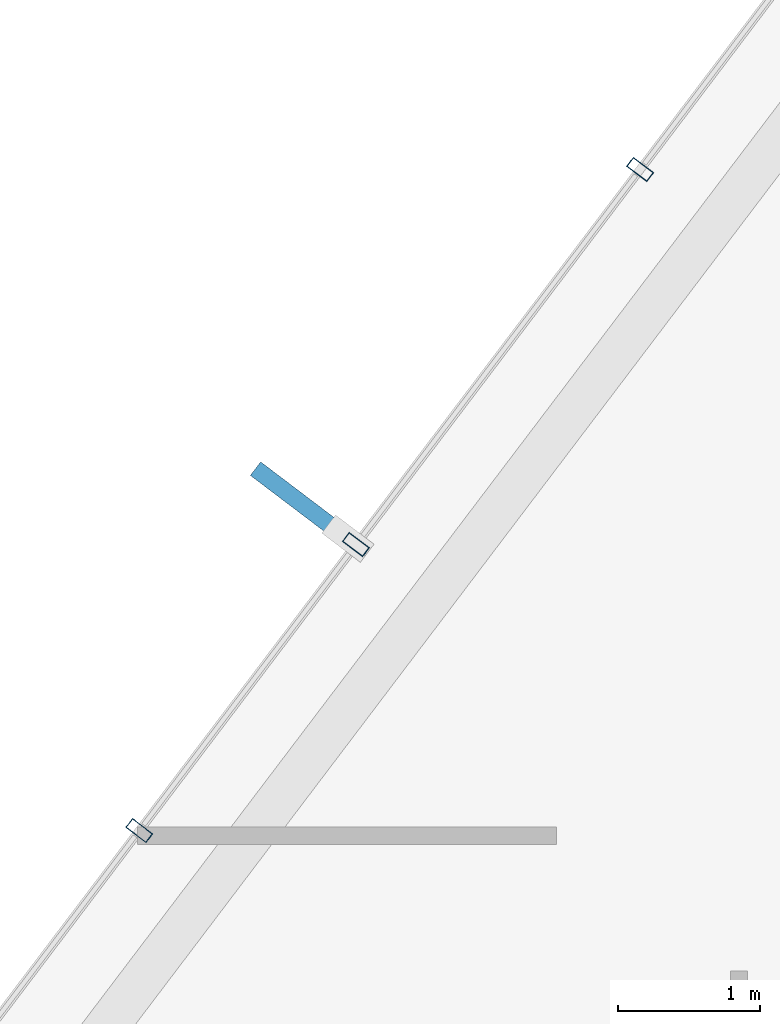
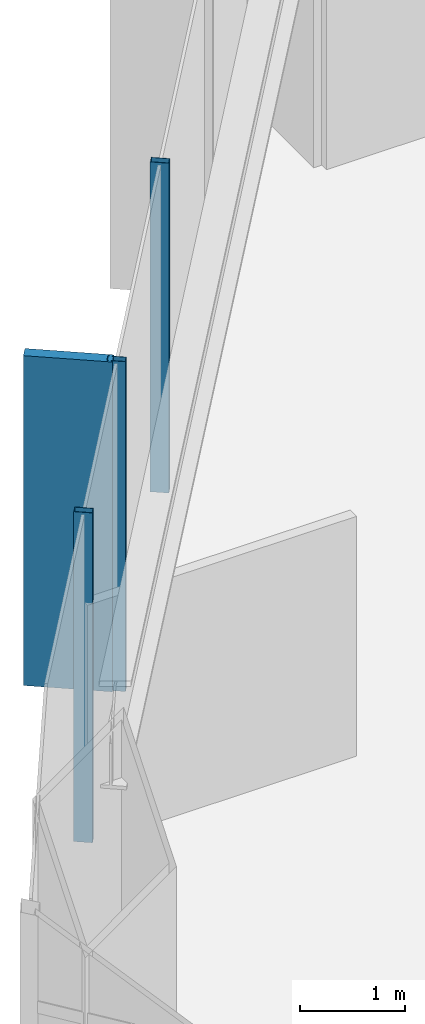
# One storey, part 10 of 25: 4 members, 1 element without a shape of its own.
"""IFC4 building model written with IfcOpenShell, lengths in metres."""

import ifcopenshell
import ifcopenshell.guid

model = None  # the IFC model being written
_history = None  # IfcOwnerHistory: only IFC2X3 demands one
_inside = {}  # id of a spatial element -> (the spatial element, [elements in it])
_under = {}  # id of a project, library or spatial element -> (it, [spatial elements below it])
_declared = {}  # id of a project -> (the project, [libraries it declares])
_typed = {}  # id of a type object -> (the type object, [elements of that type])
_made_of = {}  # id of a material, layer set ... -> (it, [elements and type objects made of it])


def new_model(schema):
    """Start an empty IFC model of exactly this schema.

    Asked for "IFC4X3", IfcOpenShell would pick the latest addendum, in which some entities
    have other attributes; the version numbers below select the first issue.
    IFC2X3 requires an IfcOwnerHistory on every rooted entity: one is made here for all.
    """
    global model, _history
    if schema == "IFC4X3":
        model = ifcopenshell.file(schema_version=(4, 3, 0, 0))
    else:
        model = ifcopenshell.file(schema=schema)
    _inside.clear()
    _under.clear()
    _declared.clear()
    _typed.clear()
    _made_of.clear()
    _history = None
    if model.schema == "IFC2X3":
        org = make("IfcOrganization", Name="unknown")
        user = make(
            "IfcPersonAndOrganization",
            ThePerson=make("IfcPerson", FamilyName="unknown"),
            TheOrganization=org,
        )
        app = make(
            "IfcApplication",
            ApplicationDeveloper=org,
            Version="unknown",
            ApplicationFullName="unknown",
            ApplicationIdentifier="unknown",
        )
        _history = make(
            "IfcOwnerHistory",
            OwningUser=user,
            OwningApplication=app,
            ChangeAction="ADDED",
            CreationDate=0,
        )
    return model


def make(cls, **values):
    """One entity of the class cls with the attributes given. An attribute that is None is left unset."""
    return model.create_entity(
        cls, **{name: value for name, value in values.items() if value is not None}
    )


def rooted(cls, **values):
    """An entity with a GlobalId (a new one), such as an element, a storey or a relation."""
    return make(cls, GlobalId=ifcopenshell.guid.new(), OwnerHistory=_history, **values)


def si_unit(unit_type, name, prefix=None):
    """IfcSIUnit, for example si_unit("LENGTHUNIT", "METRE", prefix="MILLI")."""
    return make("IfcSIUnit", UnitType=unit_type, Prefix=prefix, Name=name)


def assignment(units):
    """IfcUnitAssignment: the units of a project."""
    return None if units is None else make("IfcUnitAssignment", Units=units)


def point(xyz):
    """IfcCartesianPoint."""
    return None if xyz is None else make("IfcCartesianPoint", Coordinates=xyz)


def direction(xyz):
    """IfcDirection."""
    return None if xyz is None else make("IfcDirection", DirectionRatios=xyz)


def frame(location, z_axis=None, x_axis=None):
    """IfcAxis2Placement3D, a coordinate frame: its origin and axes. An axis left out is left unset."""
    return make(
        "IfcAxis2Placement3D",
        Location=point(location),
        Axis=direction(z_axis),
        RefDirection=direction(x_axis),
    )


def frame_2d(location, x_axis=None):
    """IfcAxis2Placement2D, a coordinate frame in the plane: its origin and x axis."""
    return make(
        "IfcAxis2Placement2D", Location=point(location), RefDirection=direction(x_axis)
    )


def origin():
    """The frame at (0, 0, 0) with its axes left unset."""
    return frame((0.0, 0.0, 0.0))


def origin_2d():
    """The frame at (0, 0) in the plane with its x axis left unset."""
    return frame_2d((0.0, 0.0))


def place(relative_to, where):
    """IfcLocalPlacement: puts the frame where relative to a parent placement (None: the world)."""
    return make(
        "IfcLocalPlacement", PlacementRelTo=relative_to, RelativePlacement=where
    )


def context(
    kind, dimensions, precision=None, world=None, true_north=None, identifier=None
):
    """IfcGeometricRepresentationContext, for example the 3D "Model" context."""
    return make(
        "IfcGeometricRepresentationContext",
        ContextIdentifier=identifier,
        ContextType=kind,
        CoordinateSpaceDimension=dimensions,
        Precision=precision,
        WorldCoordinateSystem=world,
        TrueNorth=true_north,
    )


def subcontext(parent, identifier, kind, view, scale=None):
    """IfcGeometricRepresentationSubContext, for example "Body" below "Model"."""
    return make(
        "IfcGeometricRepresentationSubContext",
        ContextIdentifier=identifier,
        ContextType=kind,
        ParentContext=parent,
        TargetScale=scale,
        TargetView=view,
    )


def project(units=None, contexts=None):
    """IfcProject with its units and contexts."""
    return rooted(
        "IfcProject",
        Name="project",
        RepresentationContexts=contexts,
        UnitsInContext=assignment(units),
    )


def spatial(cls, under=None, at=None, **own):
    """A site, building, storey or space (cls), placed at a placement, below another one or the project."""
    s = rooted(cls, ObjectPlacement=at, **own)
    if under is not None:
        _under.setdefault(under.id(), (under, []))[1].append(s)
    return s


def profile(cls, at=None, kind="AREA", **sizes):
    """A parametric profile (cls). Its sizes go by their IFC names, for example OverallWidth=200.0."""
    return make(cls, ProfileType=kind, Position=at, **sizes)


def rectangle(**sizes):
    """IfcRectangleProfileDef."""
    return profile("IfcRectangleProfileDef", **sizes)


def hollow_rectangle(**sizes):
    """IfcRectangleHollowProfileDef."""
    return profile("IfcRectangleHollowProfileDef", **sizes)


def extrude(swept, where, along, depth):
    """IfcExtrudedAreaSolid: the profile swept, set in the frame where, extruded along a direction by depth."""
    return make(
        "IfcExtrudedAreaSolid",
        SweptArea=swept,
        Position=where,
        ExtrudedDirection=direction(along),
        Depth=depth,
    )


def shape(context_of_items, identifier, shape_type, items):
    """IfcShapeRepresentation: the items that make up one representation, for example the "Body"."""
    return make(
        "IfcShapeRepresentation",
        ContextOfItems=context_of_items,
        RepresentationIdentifier=identifier,
        RepresentationType=shape_type,
        Items=items,
    )


def material(Name=None, Category=None):
    """IfcMaterial."""
    return make("IfcMaterial", Name=Name, Category=Category)


def layer(
    of_material, thickness, ventilated=None, Name=None, Category=None, Priority=None
):
    """IfcMaterialLayer: one layer of a wall or slab, of a material (None: an air gap)."""
    return make(
        "IfcMaterialLayer",
        Material=of_material,
        LayerThickness=thickness,
        IsVentilated=ventilated,
        Name=Name,
        Category=Category,
        Priority=Priority,
    )


def layer_set(layers, Name=None):
    """IfcMaterialLayerSet."""
    return make("IfcMaterialLayerSet", MaterialLayers=layers, LayerSetName=Name)


def material_profile(
    of_material, cross_section, Name=None, Category=None, Priority=None
):
    """IfcMaterialProfile: a cross section and its material."""
    return make(
        "IfcMaterialProfile",
        Name=Name,
        Material=of_material,
        Profile=cross_section,
        Priority=Priority,
        Category=Category,
    )


def profile_set(profiles, Name=None, composite=None):
    """IfcMaterialProfileSet."""
    return make(
        "IfcMaterialProfileSet",
        Name=Name,
        MaterialProfiles=profiles,
        CompositeProfile=composite,
    )


def made_of(thing, what):
    """Note that an element or type object is made of a material, layer set ...; save() writes the relation."""
    if what is not None:
        _made_of.setdefault(what.id(), (what, []))[1].append(thing)
    return thing


def type_object(cls, material=None, **own):
    """A type object (cls), such as IfcWallType, which elements share."""
    return made_of(rooted(cls, **own), material)


def element(
    cls,
    number,
    at=None,
    inside=None,
    cuts=None,
    type_object=None,
    material=None,
    context=None,
    identifier="Body",
    shape_type=None,
    held_by="IfcProductDefinitionShape",
    body=None,
    shapes=None,
    **own,
):
    """One element of the class cls, such as IfcWall. Its Tag is "e" and its number.

    at: its placement. inside: the storey or other place that contains it. cuts: it is an
    opening in that element (IfcRelVoidsElement). A single representation is given by context,
    identifier, shape_type and body (its items); several are given by shapes. held_by: the class
    of the entity that holds the representations. save() writes the other relations.
    """
    e = rooted(cls, Tag="e%d" % number, ObjectPlacement=at, **own)
    if body is not None:
        shapes = [shape(context, identifier, shape_type, body)]
    if shapes is not None:
        e.Representation = make(held_by, Representations=shapes)
    if inside is not None:
        _inside.setdefault(inside.id(), (inside, []))[1].append(e)
    if cuts is not None:
        rooted(
            "IfcRelVoidsElement", RelatingBuildingElement=cuts, RelatedOpeningElement=e
        )
    if type_object is not None:
        _typed.setdefault(type_object.id(), (type_object, []))[1].append(e)
    return made_of(e, material)


def aggregate(whole, parts):
    """IfcRelAggregates: a whole, such as a stair, and the parts it consists of."""
    return rooted("IfcRelAggregates", RelatingObject=whole, RelatedObjects=parts)


def save(model, path):
    """Write the relations noted so far, then the file.

    IfcRelAggregates (storeys below a building ...), IfcRelContainedInSpatialStructure (elements
    in a storey), IfcRelDefinesByType, IfcRelAssociatesMaterial and IfcRelDeclares: one each for
    every whole, place, type object, material and project.
    """
    for whole, parts in _under.values():
        aggregate(whole, parts)
    for where, things in _inside.values():
        rooted(
            "IfcRelContainedInSpatialStructure",
            RelatedElements=things,
            RelatingStructure=where,
        )
    for kind, things in _typed.values():
        rooted("IfcRelDefinesByType", RelatedObjects=things, RelatingType=kind)
    for what, things in _made_of.values():
        rooted("IfcRelAssociatesMaterial", RelatedObjects=things, RelatingMaterial=what)
    for by, libraries in _declared.values():
        rooted("IfcRelDeclares", RelatingContext=by, RelatedDefinitions=libraries)
    model.write(path)


model = new_model("IFC4")

# Units and contexts
model_context = context("Model", 3, precision=1e-05, world=origin(), true_north=direction((0.0, 1.0)))
body_context = subcontext(model_context, "Body", "Model", "MODEL_VIEW")
ifc_project = project(units=[si_unit("LENGTHUNIT", "METRE"), si_unit("AREAUNIT", "SQUARE_METRE"), si_unit("VOLUMEUNIT", "CUBIC_METRE"), si_unit("PLANEANGLEUNIT", "RADIAN"), si_unit("MASSUNIT", "GRAM", prefix="KILO")], contexts=[model_context])

# Site, building, storey
site_placement = place(None, origin())
site = spatial("IfcSite", under=ifc_project, at=site_placement, CompositionType="ELEMENT")
building_placement = place(site_placement, origin())
building = spatial("IfcBuilding", under=site, at=building_placement, Name="Zarrinselat Tower", CompositionType="ELEMENT")
storey_placement = place(building_placement, frame((0.0, 0.0, 43.860107421875)))
storey = spatial("IfcBuildingStorey", under=building, at=storey_placement, Name="L10", CompositionType="ELEMENT", Elevation=43.860107421875)

# Curtain wall, members
ifc_material_1 = material(Name="Extruded Aluminium Alloy EN AW-6063 T6", Category="aluminium")
ifc_layer = layer(ifc_material_1, 0.18505859375)
ifc_layer_set = layer_set([ifc_layer], Name="Extruded Aluminium Alloy EN AW-6063 T6")
curtain_wall_type = type_object("IfcCurtainWallType", Name="CWS-OFF", PredefinedType="NOTDEFINED", material=ifc_layer_set)
curtain_wall_placement = place(storey_placement, origin())
curtain_wall = element("IfcCurtainWall", 1, at=curtain_wall_placement, inside=storey, type_object=curtain_wall_type, Name="L10 Unitised Curtain Wall CW-L10-E02", PredefinedType="NOTDEFINED")
ifc_material_2 = material(Name="Extruded Aluminium Alloy EN AW-6063 T6", Category="aluminium")
ifc_material_profile_1 = material_profile(ifc_material_2, hollow_rectangle(XDim=0.080078125, YDim=0.179931640625, WallThickness=0.0048828125, at=origin_2d()), Name="RHS 180x80x5")
ifc_profile_set_1 = profile_set([ifc_material_profile_1], Name="Extruded Aluminium Alloy EN AW-6063 T6")
member_type_1 = type_object("IfcMemberType", Name="MEM-CW-MUL", PredefinedType="MULLION", material=ifc_profile_set_1)
member_1_placement = place(storey_placement, frame((21.805419921875, 42.1328125, 0.0), z_axis=(0.0, 0.0, 1.0), x_axis=(-0.603856912101, -0.797092735952, 0.0)))
member_1 = element("IfcMember", 2, at=member_1_placement, type_object=member_type_1, Name="CW-L10-E02 Mullion 4", PredefinedType="MULLION", context=body_context, shape_type="SweptSolid", body=[
    extrude(hollow_rectangle(XDim=0.080078125, YDim=0.179931640625, WallThickness=0.0048828125, at=origin_2d()), origin(), (0.0, 0.0, 1.0), 3.81982421875),
])
member_2_placement = place(storey_placement, frame((19.8076171875, 39.49560546875, 0.0), z_axis=(0.0, 0.0, 1.0), x_axis=(-0.603856912101, -0.797092735952, 0.0)))
member_2 = element("IfcMember", 3, at=member_2_placement, type_object=member_type_1, Name="CW-L10-E02 Mullion 5", PredefinedType="MULLION", context=body_context, shape_type="SweptSolid", body=[
    extrude(hollow_rectangle(XDim=0.080078125, YDim=0.179931640625, WallThickness=0.0048828125, at=origin_2d()), origin(), (0.0, 0.0, 1.0), 3.81982421875),
])
member_3_placement = place(storey_placement, frame((18.285400390625, 37.486083984375, 0.0), z_axis=(0.0, 0.0, 1.0), x_axis=(-0.603856912101, -0.797092735952, 0.0)))
member_3 = element("IfcMember", 4, at=member_3_placement, type_object=member_type_1, Name="CW-L10-E02 Mullion 6", PredefinedType="MULLION", context=body_context, shape_type="SweptSolid", body=[
    extrude(hollow_rectangle(XDim=0.080078125, YDim=0.179931640625, WallThickness=0.0048828125, at=origin_2d()), origin(), (0.0, 0.0, 1.0), 3.81982421875),
])
ifc_material_3 = material(Name="Honed Cream Travertine Stone", Category="masonry")
ifc_material_profile_2 = material_profile(ifc_material_3, rectangle(XDim=0.1201171875, YDim=0.85009765625, at=origin_2d()), Name="FIN 850x120")
ifc_profile_set_2 = profile_set([ifc_material_profile_2], Name="Honed Cream Travertine Stone")
member_type_2 = type_object("IfcMemberType", Name="MEM-STONE-FIN", PredefinedType="USERDEFINED", material=ifc_profile_set_2)
member_4_placement = place(storey_placement, frame((19.44091796875, 39.773193359375, 0.0), z_axis=(0.0, 0.0, 1.0), x_axis=(0.603856912101, 0.797092735952, 0.0)))
member_4 = element("IfcMember", 5, at=member_4_placement, type_object=member_type_2, Name="L10 Stone Shading Fin CW-L10-E02-05", ObjectType="FIN", PredefinedType="USERDEFINED", context=body_context, shape_type="SweptSolid", body=[
    extrude(rectangle(XDim=0.1201171875, YDim=0.85009765625, at=origin_2d()), origin(), (0.0, 0.0, 1.0), 3.81982421875),
])
aggregate(curtain_wall, [member_1, member_2, member_4, member_3])

save(model, "model.ifc")
